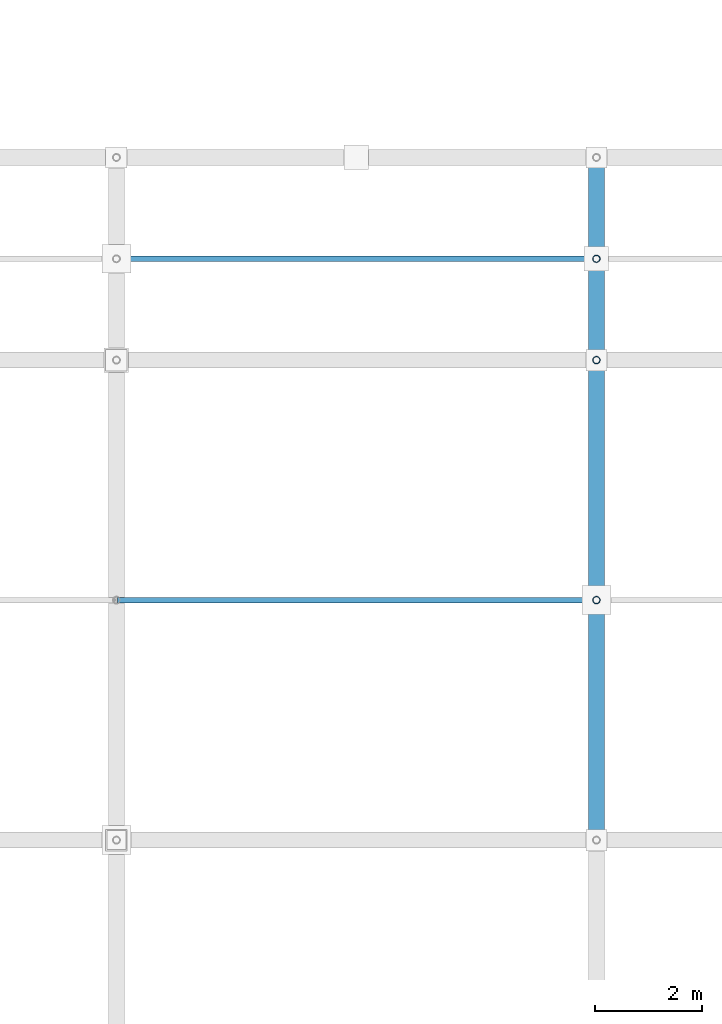
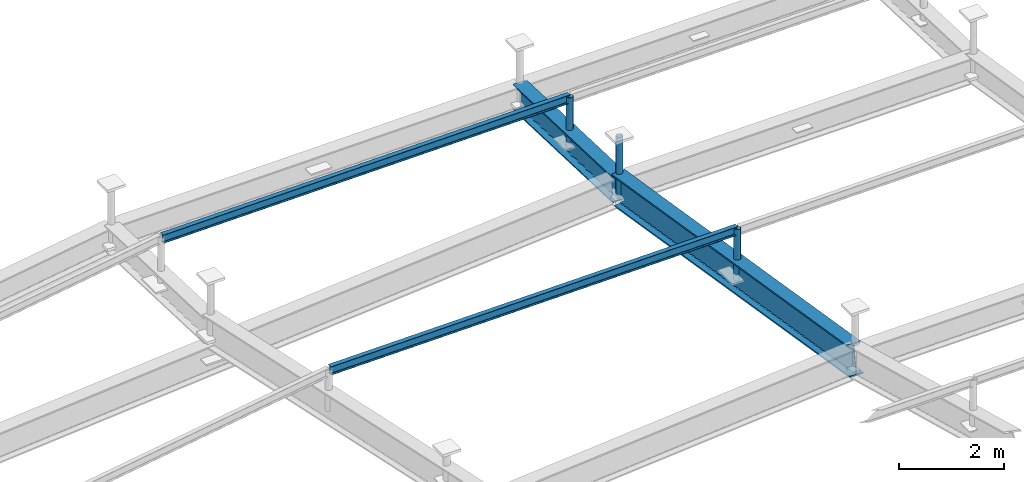
# One storey, part 58 of 80: 5 members, 2 beams.
"""IFC4 building model written with IfcOpenShell, lengths in metres."""

import ifcopenshell
import ifcopenshell.guid

model = None  # the IFC model being written
_history = None  # IfcOwnerHistory: only IFC2X3 demands one
_inside = {}  # id of a spatial element -> (the spatial element, [elements in it])
_under = {}  # id of a project, library or spatial element -> (it, [spatial elements below it])
_declared = {}  # id of a project -> (the project, [libraries it declares])
_typed = {}  # id of a type object -> (the type object, [elements of that type])
_made_of = {}  # id of a material, layer set ... -> (it, [elements and type objects made of it])


def new_model(schema):
    """Start an empty IFC model of exactly this schema.

    Asked for "IFC4X3", IfcOpenShell would pick the latest addendum, in which some entities
    have other attributes; the version numbers below select the first issue.
    IFC2X3 requires an IfcOwnerHistory on every rooted entity: one is made here for all.
    """
    global model, _history
    if schema == "IFC4X3":
        model = ifcopenshell.file(schema_version=(4, 3, 0, 0))
    else:
        model = ifcopenshell.file(schema=schema)
    _inside.clear()
    _under.clear()
    _declared.clear()
    _typed.clear()
    _made_of.clear()
    _history = None
    if model.schema == "IFC2X3":
        org = make("IfcOrganization", Name="unknown")
        user = make(
            "IfcPersonAndOrganization",
            ThePerson=make("IfcPerson", FamilyName="unknown"),
            TheOrganization=org,
        )
        app = make(
            "IfcApplication",
            ApplicationDeveloper=org,
            Version="unknown",
            ApplicationFullName="unknown",
            ApplicationIdentifier="unknown",
        )
        _history = make(
            "IfcOwnerHistory",
            OwningUser=user,
            OwningApplication=app,
            ChangeAction="ADDED",
            CreationDate=0,
        )
    return model


def make(cls, **values):
    """One entity of the class cls with the attributes given. An attribute that is None is left unset."""
    return model.create_entity(
        cls, **{name: value for name, value in values.items() if value is not None}
    )


def rooted(cls, **values):
    """An entity with a GlobalId (a new one), such as an element, a storey or a relation."""
    return make(cls, GlobalId=ifcopenshell.guid.new(), OwnerHistory=_history, **values)


def si_unit(unit_type, name, prefix=None):
    """IfcSIUnit, for example si_unit("LENGTHUNIT", "METRE", prefix="MILLI")."""
    return make("IfcSIUnit", UnitType=unit_type, Prefix=prefix, Name=name)


def assignment(units):
    """IfcUnitAssignment: the units of a project."""
    return None if units is None else make("IfcUnitAssignment", Units=units)


def point(xyz):
    """IfcCartesianPoint."""
    return None if xyz is None else make("IfcCartesianPoint", Coordinates=xyz)


def direction(xyz):
    """IfcDirection."""
    return None if xyz is None else make("IfcDirection", DirectionRatios=xyz)


def frame(location, z_axis=None, x_axis=None):
    """IfcAxis2Placement3D, a coordinate frame: its origin and axes. An axis left out is left unset."""
    return make(
        "IfcAxis2Placement3D",
        Location=point(location),
        Axis=direction(z_axis),
        RefDirection=direction(x_axis),
    )


def frame_2d(location, x_axis=None):
    """IfcAxis2Placement2D, a coordinate frame in the plane: its origin and x axis."""
    return make(
        "IfcAxis2Placement2D", Location=point(location), RefDirection=direction(x_axis)
    )


def origin():
    """The frame at (0, 0, 0) with its axes left unset."""
    return frame((0.0, 0.0, 0.0))


def origin_2d():
    """The frame at (0, 0) in the plane with its x axis left unset."""
    return frame_2d((0.0, 0.0))


def place(relative_to, where):
    """IfcLocalPlacement: puts the frame where relative to a parent placement (None: the world)."""
    return make(
        "IfcLocalPlacement", PlacementRelTo=relative_to, RelativePlacement=where
    )


def context(
    kind, dimensions, precision=None, world=None, true_north=None, identifier=None
):
    """IfcGeometricRepresentationContext, for example the 3D "Model" context."""
    return make(
        "IfcGeometricRepresentationContext",
        ContextIdentifier=identifier,
        ContextType=kind,
        CoordinateSpaceDimension=dimensions,
        Precision=precision,
        WorldCoordinateSystem=world,
        TrueNorth=true_north,
    )


def subcontext(parent, identifier, kind, view, scale=None):
    """IfcGeometricRepresentationSubContext, for example "Body" below "Model"."""
    return make(
        "IfcGeometricRepresentationSubContext",
        ContextIdentifier=identifier,
        ContextType=kind,
        ParentContext=parent,
        TargetScale=scale,
        TargetView=view,
    )


def project(units=None, contexts=None):
    """IfcProject with its units and contexts."""
    return rooted(
        "IfcProject",
        Name="project",
        RepresentationContexts=contexts,
        UnitsInContext=assignment(units),
    )


def spatial(cls, under=None, at=None, **own):
    """A site, building, storey or space (cls), placed at a placement, below another one or the project."""
    s = rooted(cls, ObjectPlacement=at, **own)
    if under is not None:
        _under.setdefault(under.id(), (under, []))[1].append(s)
    return s


def profile(cls, at=None, kind="AREA", **sizes):
    """A parametric profile (cls). Its sizes go by their IFC names, for example OverallWidth=200.0."""
    return make(cls, ProfileType=kind, Position=at, **sizes)


def hollow_circle(**sizes):
    """IfcCircleHollowProfileDef."""
    return profile("IfcCircleHollowProfileDef", **sizes)


def i_section(**sizes):
    """IfcIShapeProfileDef."""
    return profile("IfcIShapeProfileDef", **sizes)


def extrude(swept, where, along, depth):
    """IfcExtrudedAreaSolid: the profile swept, set in the frame where, extruded along a direction by depth."""
    return make(
        "IfcExtrudedAreaSolid",
        SweptArea=swept,
        Position=where,
        ExtrudedDirection=direction(along),
        Depth=depth,
    )


def shape(context_of_items, identifier, shape_type, items):
    """IfcShapeRepresentation: the items that make up one representation, for example the "Body"."""
    return make(
        "IfcShapeRepresentation",
        ContextOfItems=context_of_items,
        RepresentationIdentifier=identifier,
        RepresentationType=shape_type,
        Items=items,
    )


def material(Name=None, Category=None):
    """IfcMaterial."""
    return make("IfcMaterial", Name=Name, Category=Category)


def material_profile(
    of_material, cross_section, Name=None, Category=None, Priority=None
):
    """IfcMaterialProfile: a cross section and its material."""
    return make(
        "IfcMaterialProfile",
        Name=Name,
        Material=of_material,
        Profile=cross_section,
        Priority=Priority,
        Category=Category,
    )


def profile_set(profiles, Name=None, composite=None):
    """IfcMaterialProfileSet."""
    return make(
        "IfcMaterialProfileSet",
        Name=Name,
        MaterialProfiles=profiles,
        CompositeProfile=composite,
    )


def made_of(thing, what):
    """Note that an element or type object is made of a material, layer set ...; save() writes the relation."""
    if what is not None:
        _made_of.setdefault(what.id(), (what, []))[1].append(thing)
    return thing


def type_object(cls, material=None, **own):
    """A type object (cls), such as IfcWallType, which elements share."""
    return made_of(rooted(cls, **own), material)


def element(
    cls,
    number,
    at=None,
    inside=None,
    cuts=None,
    type_object=None,
    material=None,
    context=None,
    identifier="Body",
    shape_type=None,
    held_by="IfcProductDefinitionShape",
    body=None,
    shapes=None,
    **own,
):
    """One element of the class cls, such as IfcWall. Its Tag is "e" and its number.

    at: its placement. inside: the storey or other place that contains it. cuts: it is an
    opening in that element (IfcRelVoidsElement). A single representation is given by context,
    identifier, shape_type and body (its items); several are given by shapes. held_by: the class
    of the entity that holds the representations. save() writes the other relations.
    """
    e = rooted(cls, Tag="e%d" % number, ObjectPlacement=at, **own)
    if body is not None:
        shapes = [shape(context, identifier, shape_type, body)]
    if shapes is not None:
        e.Representation = make(held_by, Representations=shapes)
    if inside is not None:
        _inside.setdefault(inside.id(), (inside, []))[1].append(e)
    if cuts is not None:
        rooted(
            "IfcRelVoidsElement", RelatingBuildingElement=cuts, RelatedOpeningElement=e
        )
    if type_object is not None:
        _typed.setdefault(type_object.id(), (type_object, []))[1].append(e)
    return made_of(e, material)


def aggregate(whole, parts):
    """IfcRelAggregates: a whole, such as a stair, and the parts it consists of."""
    return rooted("IfcRelAggregates", RelatingObject=whole, RelatedObjects=parts)


def save(model, path):
    """Write the relations noted so far, then the file.

    IfcRelAggregates (storeys below a building ...), IfcRelContainedInSpatialStructure (elements
    in a storey), IfcRelDefinesByType, IfcRelAssociatesMaterial and IfcRelDeclares: one each for
    every whole, place, type object, material and project.
    """
    for whole, parts in _under.values():
        aggregate(whole, parts)
    for where, things in _inside.values():
        rooted(
            "IfcRelContainedInSpatialStructure",
            RelatedElements=things,
            RelatingStructure=where,
        )
    for kind, things in _typed.values():
        rooted("IfcRelDefinesByType", RelatedObjects=things, RelatingType=kind)
    for what, things in _made_of.values():
        rooted("IfcRelAssociatesMaterial", RelatedObjects=things, RelatingMaterial=what)
    for by, libraries in _declared.values():
        rooted("IfcRelDeclares", RelatingContext=by, RelatedDefinitions=libraries)
    model.write(path)


model = new_model("IFC4")

# Units and contexts
model_context = context("Model", 3, precision=1e-05, world=origin(), true_north=direction((0.0, 1.0)))
body_context = subcontext(model_context, "Body", "Model", "MODEL_VIEW")
ifc_project = project(units=[si_unit("LENGTHUNIT", "METRE"), si_unit("AREAUNIT", "SQUARE_METRE"), si_unit("VOLUMEUNIT", "CUBIC_METRE"), si_unit("PLANEANGLEUNIT", "RADIAN"), si_unit("MASSUNIT", "GRAM", prefix="KILO")], contexts=[model_context])

# Site, building, storey
site_placement = place(None, origin())
site = spatial("IfcSite", under=ifc_project, at=site_placement, CompositionType="ELEMENT")
building_placement = place(site_placement, origin())
building = spatial("IfcBuilding", under=site, at=building_placement, Name="Barlavento Convention Centre", CompositionType="ELEMENT")
storey_placement = place(building_placement, frame((0.0, 0.0, 29.800048828125)))
storey = spatial("IfcBuildingStorey", under=building, at=storey_placement, Name="RF", CompositionType="ELEMENT", Elevation=29.800048828125)

# Beams
ifc_material_1 = material(Name="Steel S355", Category="steel")
ifc_material_profile_1 = material_profile(ifc_material_1, i_section(OverallWidth=0.300048828125, OverallDepth=0.60009765625, WebThickness=0.015380859375, FlangeThickness=0.030029296875, FilletRadius=0.027099609375, at=origin_2d()), Name="HEB 600")
ifc_profile_set_1 = profile_set([ifc_material_profile_1], Name="Steel S355")
beam_type_1 = type_object("IfcBeamType", Name="STR-BM-CANT-HEB600", PredefinedType="BEAM", material=ifc_profile_set_1)
beam_1_placement = place(storey_placement, frame((63.0, 54.0048828125, -4.774169921875), z_axis=(0.0, 0.999328957614, -0.036628328838), x_axis=(-1.0, 0.0, 0.0)))
element("IfcBeam", 1, at=beam_1_placement, inside=storey, type_object=beam_type_1, Name="Congress roof truss space frame chord", PredefinedType="BEAM", context=body_context, shape_type="SweptSolid", body=[
    extrude(i_section(OverallWidth=0.300048828125, OverallDepth=0.60009765625, WebThickness=0.015380859375, FlangeThickness=0.030029296875, FilletRadius=0.027099609375, at=origin_2d()), origin(), (0.0, 0.0, 1.0), 3.79248046875),
])
ifc_material_2 = material(Name="Steel S460", Category="steel")
ifc_material_profile_2 = material_profile(ifc_material_2, i_section(OverallWidth=0.300048828125, OverallDepth=0.699951171875, WebThickness=0.01708984375, FlangeThickness=0.031982421875, FilletRadius=0.027099609375, at=origin_2d()), Name="HEB 700")
ifc_profile_set_2 = profile_set([ifc_material_profile_2], Name="Steel S460")
beam_type_2 = type_object("IfcBeamType", Name="STR-BM-TRUSS-TOP-HEB700", PredefinedType="BEAM", material=ifc_profile_set_2)
beam_2_placement = place(storey_placement, frame((63.0, 45.0048828125, -3.313232421875), z_axis=(0.0, 0.987052310252, -0.160398680875), x_axis=(-1.0, 0.0, 0.0)))
element("IfcBeam", 2, at=beam_2_placement, inside=storey, type_object=beam_type_2, Name="Congress roof truss space frame chord", PredefinedType="BEAM", context=body_context, shape_type="SweptSolid", body=[
    extrude(i_section(OverallWidth=0.300048828125, OverallDepth=0.699951171875, WebThickness=0.01708984375, FlangeThickness=0.031982421875, FilletRadius=0.027099609375, at=origin_2d()), origin(), (0.0, 0.0, 1.0), 9.108154296875),
])

# Members
ifc_material_profile_3 = material_profile(ifc_material_1, hollow_circle(Radius=0.06982421875, WallThickness=0.008056640625, at=origin_2d()), Name="CHS 139.7x8.0")
ifc_profile_set_3 = profile_set([ifc_material_profile_3], Name="Steel S355")
member_type_1 = type_object("IfcMemberType", Name="STR-MEM-DIAG-CHS139", PredefinedType="BRACE", material=ifc_profile_set_3)
member_1_placement = place(storey_placement, frame((63.0, 54.0, -4.924072265625), z_axis=(0.0, 0.0, 1.0), x_axis=(1.0, 0.0, 0.0)))
element("IfcMember", 3, at=member_1_placement, inside=storey, type_object=member_type_1, Name="Congress space frame vertical node post TD04", PredefinedType="BRACE", context=body_context, shape_type="SweptSolid", body=[
    extrude(hollow_circle(Radius=0.06982421875, WallThickness=0.008056640625, at=origin_2d()), origin(), (0.0, 0.0, 1.0), 1.369873046875),
])
member_2_placement = place(storey_placement, frame((63.0, 49.5, -4.16357421875), z_axis=(0.0, 0.0, 1.0), x_axis=(1.0, 0.0, 0.0)))
element("IfcMember", 4, at=member_2_placement, inside=storey, type_object=member_type_1, Name="Congress space frame vertical node post TD04", PredefinedType="BRACE", context=body_context, shape_type="SweptSolid", body=[
    extrude(hollow_circle(Radius=0.06982421875, WallThickness=0.008056640625, at=origin_2d()), origin(), (0.0, 0.0, 1.0), 1.1943359375),
])
member_3_placement = place(storey_placement, frame((63.0, 55.89990234375, -4.963623046875), z_axis=(0.0, 0.0, 1.0), x_axis=(1.0, 0.0, 0.0)))
element("IfcMember", 5, at=member_3_placement, inside=storey, type_object=member_type_1, Name="Congress space frame vertical node post TD04", PredefinedType="BRACE", context=body_context, shape_type="SweptSolid", body=[
    extrude(hollow_circle(Radius=0.06982421875, WallThickness=0.008056640625, at=origin_2d()), origin(), (0.0, 0.0, 1.0), 1.181884765625),
])
ifc_material_profile_4 = material_profile(ifc_material_1, i_section(OverallWidth=0.10009765625, OverallDepth=0.199951171875, WebThickness=0.005615234375, FlangeThickness=0.008544921875, FilletRadius=0.011962890625, at=origin_2d()), Name="IPE 200")
ifc_profile_set_4 = profile_set([ifc_material_profile_4], Name="Steel S355")
member_type_2 = type_object("IfcMemberType", Name="STR-MEM-PUR-IPE200", PredefinedType="PURLIN", material=ifc_profile_set_4)
for number, where, z_axis, x_axis, name in (
    (6, (54.02001953125, 49.5, -3.138427734375), (0.999896132052, 0.0, 0.014412671767), (0.0, 1.0, 0.0), "Congress roof intermediate purlin PR01"),
    (7, (54.02001953125, 55.89990234375, -3.95263671875), (0.999894159609, 0.0, 0.014548868698), (0.0, 1.0, 0.0), "Congress roof intermediate purlin PR01"),
):
    element("IfcMember", number, at=place(storey_placement, frame(where, z_axis=z_axis, x_axis=x_axis)), inside=storey, type_object=member_type_2, Name=name, PredefinedType="PURLIN", context=body_context, shape_type="SweptSolid", body=[
        extrude(i_section(OverallWidth=0.10009765625, OverallDepth=0.199951171875, WebThickness=0.005615234375, FlangeThickness=0.008544921875, FilletRadius=0.011962890625, at=origin_2d()), origin(), (0.0, 0.0, 1.0), 8.9609375),
    ])

save(model, "model.ifc")
